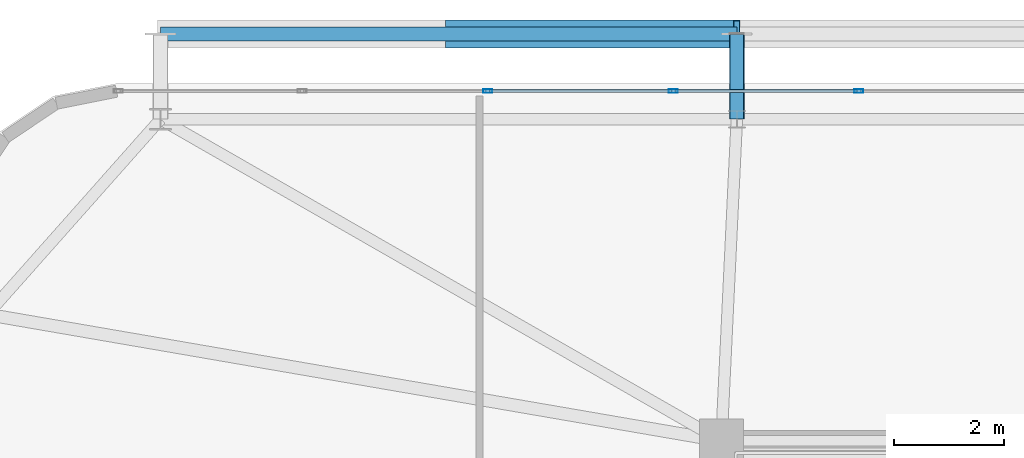
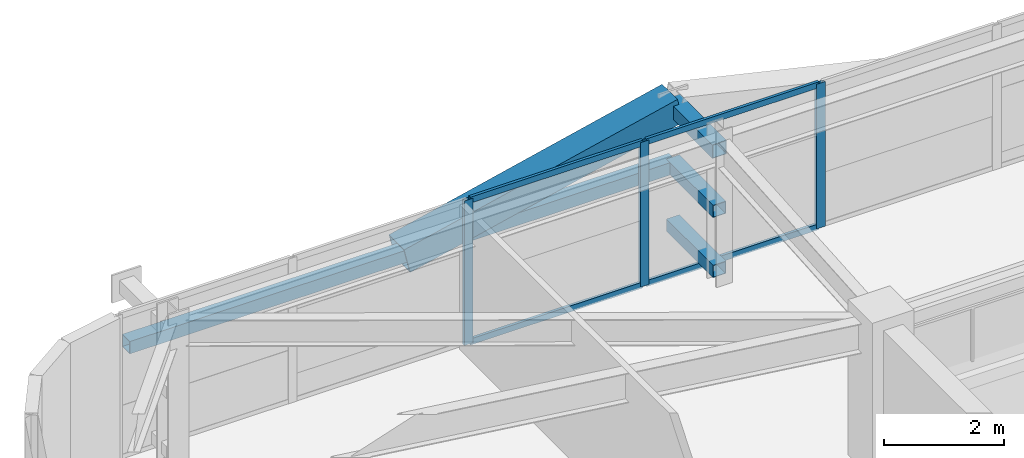
# One storey, part 35 of 58: 12 members, 1 element without a shape of its own.
"""IFC4 building model written with IfcOpenShell, lengths in metres."""

from ifc_helpers import new_model, si_unit, direction, frame, origin, origin_2d, place, context, subcontext, project, spatial, hollow_rectangle, extrude, source, transform, mapped, material, layer, layer_set, material_profile, profile_set, type_object, element, aggregate, save


model = new_model("IFC4")

# Units and contexts
model_context = context("Model", 3, precision=1e-05, world=origin(), true_north=direction((0.0, 1.0)))
body_context = subcontext(model_context, "Body", "Model", "MODEL_VIEW")
ifc_project = project(units=[si_unit("LENGTHUNIT", "METRE"), si_unit("AREAUNIT", "SQUARE_METRE"), si_unit("VOLUMEUNIT", "CUBIC_METRE"), si_unit("PLANEANGLEUNIT", "RADIAN"), si_unit("MASSUNIT", "GRAM", prefix="KILO")], contexts=[model_context])

# Site, building, storey
site_placement = place(None, origin())
site = spatial("IfcSite", under=ifc_project, at=site_placement, CompositionType="ELEMENT")
building_placement = place(site_placement, origin())
building = spatial("IfcBuilding", under=site, at=building_placement, Name="Taldren Reach Tower", CompositionType="ELEMENT")
storey_placement = place(building_placement, frame((0.0, 0.0, 54.60009765625)))
storey = spatial("IfcBuildingStorey", under=building, at=storey_placement, Name="L16", CompositionType="ELEMENT", Elevation=54.60009765625)

# Members
ifc_material_1 = material(Name="Steel Gr 450 (C450L0)", Category="steel")
ifc_material_profile_1 = material_profile(ifc_material_1, hollow_rectangle(XDim=0.27490234375, YDim=0.27490234375, WallThickness=0.00927734375, at=origin_2d()), Name="275x275x9.3SHS")
ifc_profile_set_1 = profile_set([ifc_material_profile_1], Name="Steel Gr 450 (C450L0)")
member_type_1 = type_object("IfcMemberType", Name="MB-TIE273", PredefinedType="STRUT", material=ifc_profile_set_1)
shared_shape_1 = source(origin(), body_context, "Body", "SweptSolid", [
    extrude(hollow_rectangle(XDim=0.27490234375, YDim=0.27490234375, WallThickness=0.00927734375, at=origin_2d()), origin(), (0.0, 0.0, 1.0), 1.5498046875),
])
member_1_placement = place(storey_placement, frame((19.280029296875, 37.85009765625, 2.64990234375), z_axis=(0.0, 1.0, 0.0), x_axis=(-1.0, 0.0, 0.0)))
element("IfcMember", 1, at=member_1_placement, inside=storey, type_object=member_type_1, Name="Exoskeleton diaphragm tie strut B1-N2 L16", PredefinedType="STRUT", context=body_context, shape_type="MappedRepresentation", body=[
    mapped(shared_shape_1, transform((0.0, 0.0, 0.0), scale=1.0)),
])
ifc_material_profile_2 = material_profile(ifc_material_1, hollow_rectangle(XDim=0.510009765625, YDim=0.510009765625, WallThickness=0.02001953125, at=origin_2d()), Name="510x510x20.0SHS")
ifc_profile_set_2 = profile_set([ifc_material_profile_2], Name="Steel Gr 450 (C450L0)")
member_type_2 = type_object("IfcMemberType", Name="MB-EXO508", PredefinedType="BRACE", material=ifc_profile_set_2)
shared_shape_2 = source(origin(), body_context, "Body", "SweptSolid", [
    extrude(hollow_rectangle(XDim=0.510009765625, YDim=0.510009765625, WallThickness=0.02001953125, at=origin_2d()), origin(), (0.0, 0.0, 1.0), 5.37890625),
])
member_2_placement = place(storey_placement, frame((14.0400390625, 39.39990234375, 1.434814453125), z_axis=(0.97415197996, 0.0, 0.225893603143), x_axis=(0.0, 1.0, 0.0)))
element("IfcMember", 2, at=member_2_placement, inside=storey, type_object=member_type_2, Name="Exoskeleton Diagrid Brace B1-N1 L16", PredefinedType="BRACE", context=body_context, shape_type="MappedRepresentation", body=[
    mapped(shared_shape_2, transform((0.0, 0.0, 0.0), scale=1.0)),
])
ifc_material_2 = material(Name="Steel Gr 350 (C350L0)", Category="steel")
ifc_material_profile_3 = material_profile(ifc_material_2, hollow_rectangle(XDim=0.25, YDim=0.25, WallThickness=0.010009765625, at=origin_2d()), Name="250x250x10.0SHS")
ifc_profile_set_3 = profile_set([ifc_material_profile_3], Name="Steel Gr 350 (C350L0)")
member_type_3 = type_object("IfcMemberType", Name="MB-POST250", PredefinedType="POST", material=ifc_profile_set_3)
shared_shape_3 = source(origin(), body_context, "Body", "SweptSolid", [
    extrude(hollow_rectangle(XDim=0.25, YDim=0.25, WallThickness=0.010009765625, at=origin_2d()), origin(), (0.0, 0.0, 1.0), 10.47998046875),
])
member_3_placement = place(storey_placement, frame((8.800048828125, 39.39990234375, 1.434814453125), z_axis=(1.0, 0.0, 0.0), x_axis=(0.0, 1.0, 0.0)))
element("IfcMember", 3, at=member_3_placement, inside=storey, type_object=member_type_3, Name="Exoskeleton mid-height ring chord B1-N1 L16", PredefinedType="POST", context=body_context, shape_type="MappedRepresentation", body=[
    mapped(shared_shape_3, transform((0.0, 0.0, 0.0), scale=1.0)),
])
shared_shape_4 = source(origin(), body_context, "Body", "SweptSolid", [
    extrude(hollow_rectangle(XDim=0.25, YDim=0.25, WallThickness=0.010009765625, at=origin_2d()), origin(), (0.0, 0.0, 1.0), 1.5498046875),
])
for number, where, z_axis, x_axis, name in (
    (4, (19.280029296875, 37.85009765625, 0.219970703125), (0.0, 1.0, 0.0), (-1.0, 0.0, 0.0), "Exoskeleton base diaphragm tie strut B1-N2 L16"),
    (5, (19.280029296875, 37.85009765625, 1.434814453125), (0.0, 1.0, 0.0), (-1.0, 0.0, 0.0), "Exoskeleton mid-tier diaphragm tie B1-N2 L16"),
):
    element("IfcMember", number, at=place(storey_placement, frame(where, z_axis=z_axis, x_axis=x_axis)), inside=storey, type_object=member_type_3, Name=name, PredefinedType="POST", context=body_context, shape_type="MappedRepresentation", body=[
        mapped(shared_shape_4, transform((0.0, 0.0, 0.0), scale=1.0)),
    ])

# Curtain wall, members
ifc_material_3 = material(Name="Aluminium and Low-E Glass Unitised System", Category="aluminium")
ifc_layer = layer(ifc_material_3, 0.159912109375)
ifc_layer_set = layer_set([ifc_layer], Name="Aluminium and Low-E Glass Unitised System")
curtain_wall_type = type_object("IfcCurtainWallType", Name="CW-SYS-2", PredefinedType="NOTDEFINED", material=ifc_layer_set)
curtain_wall_placement = place(storey_placement, origin())
curtain_wall = element("IfcCurtainWall", 6, at=curtain_wall_placement, inside=storey, type_object=curtain_wall_type, Name="Unitised curtain wall CW-L16-N", PredefinedType="NOTDEFINED")
ifc_material_4 = material(Name="Anodised Aluminium 6063-T6", Category="aluminium")
ifc_material_profile_4 = material_profile(ifc_material_4, hollow_rectangle(XDim=0.06494140625, YDim=0.1650390625, WallThickness=0.00390625, at=origin_2d()), Name="ALU-165x65x4RHS")
ifc_profile_set_4 = profile_set([ifc_material_profile_4], Name="Anodised Aluminium 6063-T6")
member_type_4 = type_object("IfcMemberType", Name="CW-MUL-165", PredefinedType="MULLION", material=ifc_profile_set_4)
shared_shape_5 = source(origin(), body_context, "Body", "SweptSolid", [
    extrude(hollow_rectangle(XDim=0.06494140625, YDim=0.1650390625, WallThickness=0.00390625, at=origin_2d()), origin(), (0.0, 0.0, 1.0), 2.929931640625),
])
member_4_placement = place(storey_placement, frame((21.5, 38.360107421875, 0.0), z_axis=(0.0, 0.0, 1.0), x_axis=(0.0, -1.0, 0.0)))
member_4 = element("IfcMember", 7, at=member_4_placement, type_object=member_type_4, Name="CW-2 mullion 13", PredefinedType="MULLION", context=body_context, shape_type="MappedRepresentation", body=[
    mapped(shared_shape_5, transform((0.0, 0.0, 0.0), scale=1.0)),
])
member_5_placement = place(storey_placement, frame((18.125, 38.360107421875, 0.0), z_axis=(0.0, 0.0, 1.0), x_axis=(0.0, -1.0, 0.0)))
member_5 = element("IfcMember", 8, at=member_5_placement, type_object=member_type_4, Name="CW-2 mullion 14", PredefinedType="MULLION", context=body_context, shape_type="MappedRepresentation", body=[
    mapped(shared_shape_5, transform((0.0, 0.0, 0.0), scale=1.0)),
])
member_6_placement = place(storey_placement, frame((14.75, 38.360107421875, 0.0), z_axis=(0.0, 0.0, 1.0), x_axis=(0.0, -1.0, 0.0)))
member_6 = element("IfcMember", 9, at=member_6_placement, type_object=member_type_4, Name="CW-2 mullion 15", PredefinedType="MULLION", context=body_context, shape_type="MappedRepresentation", body=[
    mapped(shared_shape_5, transform((0.0, 0.0, 0.0), scale=1.0)),
])
ifc_material_profile_5 = material_profile(ifc_material_4, hollow_rectangle(XDim=0.054931640625, YDim=0.1201171875, WallThickness=0.0029296875, at=origin_2d()), Name="ALU-120x55x3RHS")
ifc_profile_set_5 = profile_set([ifc_material_profile_5], Name="Anodised Aluminium 6063-T6")
member_type_5 = type_object("IfcMemberType", Name="CW-TRN-135", PredefinedType="USERDEFINED", material=ifc_profile_set_5)
shared_shape_6 = source(origin(), body_context, "Body", "SweptSolid", [
    extrude(hollow_rectangle(XDim=0.054931640625, YDim=0.1201171875, WallThickness=0.0029296875, at=origin_2d()), origin(), (0.0, 0.0, 1.0), 3.31005859375),
])
member_7_placement = place(storey_placement, frame((21.467529296875, 38.360107421875, 0.02734375), z_axis=(-1.0, 0.0, 0.0), x_axis=(0.0, -1.0, 0.0)))
member_7 = element("IfcMember", 10, at=member_7_placement, type_object=member_type_5, Name="CW-2 transom 13.1", ObjectType="TRANSOM", PredefinedType="USERDEFINED", context=body_context, shape_type="MappedRepresentation", body=[
    mapped(shared_shape_6, transform((0.0, 0.0, 0.0), scale=1.0)),
])
member_8_placement = place(storey_placement, frame((21.467529296875, 38.360107421875, 2.90234375), z_axis=(-1.0, 0.0, 0.0), x_axis=(0.0, -1.0, 0.0)))
member_8 = element("IfcMember", 11, at=member_8_placement, type_object=member_type_5, Name="CW-2 transom 13.2", ObjectType="TRANSOM", PredefinedType="USERDEFINED", context=body_context, shape_type="MappedRepresentation", body=[
    mapped(shared_shape_6, transform((0.0, 0.0, 0.0), scale=1.0)),
])
member_9_placement = place(storey_placement, frame((18.092529296875, 38.360107421875, 0.02734375), z_axis=(-1.0, 0.0, 0.0), x_axis=(0.0, -1.0, 0.0)))
member_9 = element("IfcMember", 12, at=member_9_placement, type_object=member_type_5, Name="CW-2 transom 14.1", ObjectType="TRANSOM", PredefinedType="USERDEFINED", context=body_context, shape_type="MappedRepresentation", body=[
    mapped(shared_shape_6, transform((0.0, 0.0, 0.0), scale=1.0)),
])
member_10_placement = place(storey_placement, frame((18.092529296875, 38.360107421875, 2.90234375), z_axis=(-1.0, 0.0, 0.0), x_axis=(0.0, -1.0, 0.0)))
member_10 = element("IfcMember", 13, at=member_10_placement, type_object=member_type_5, Name="CW-2 transom 14.2", ObjectType="TRANSOM", PredefinedType="USERDEFINED", context=body_context, shape_type="MappedRepresentation", body=[
    mapped(shared_shape_6, transform((0.0, 0.0, 0.0), scale=1.0)),
])
aggregate(curtain_wall, [member_4, member_5, member_6, member_7, member_8, member_9, member_10])

save(model, "model.ifc")
